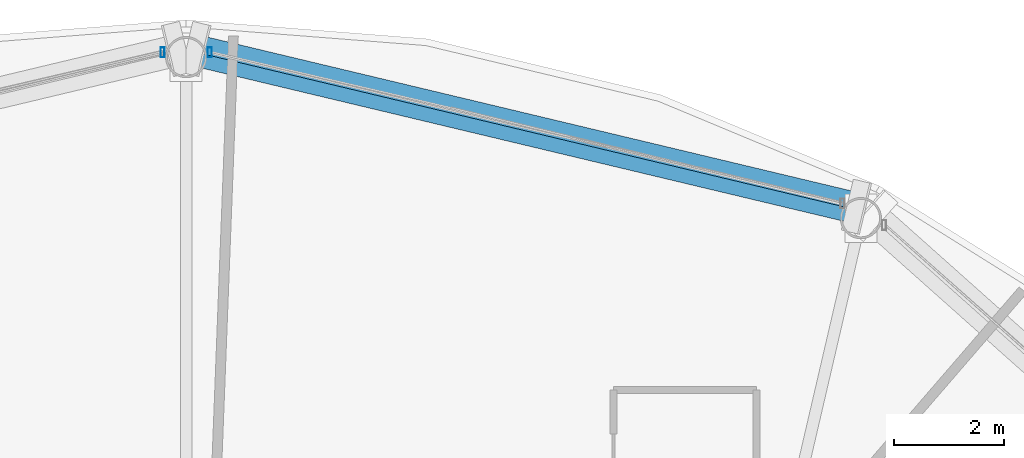
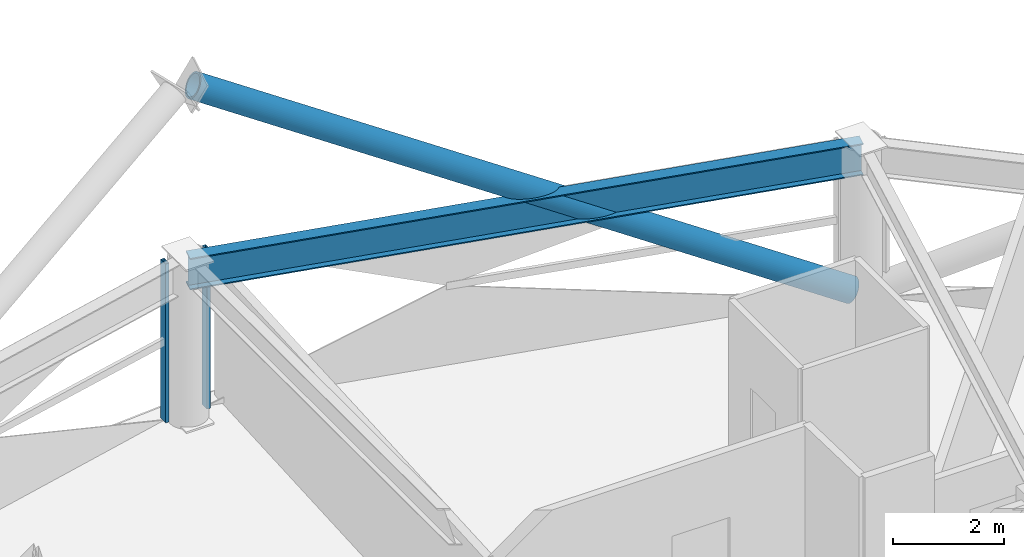
# One storey, part 16 of 29: 3 members, 1 beam, 2 elements without a shape of their own.
"""IFC4 building model written with IfcOpenShell, lengths in metres."""

from ifc_helpers import new_model, si_unit, direction, frame, origin, origin_2d, place, context, subcontext, project, spatial, hollow_rectangle, hollow_circle, i_section, extrude, material, layer, layer_set, material_profile, profile_set, type_object, element, aggregate, save


model = new_model("IFC4")

# Units and contexts
model_context = context("Model", 3, precision=1e-05, world=origin(), true_north=direction((0.0, 1.0)))
body_context = subcontext(model_context, "Body", "Model", "MODEL_VIEW")
ifc_project = project(units=[si_unit("LENGTHUNIT", "METRE"), si_unit("AREAUNIT", "SQUARE_METRE"), si_unit("VOLUMEUNIT", "CUBIC_METRE"), si_unit("PLANEANGLEUNIT", "RADIAN"), si_unit("MASSUNIT", "GRAM", prefix="KILO")], contexts=[model_context])

# Site, building, storey
site_placement = place(None, origin())
site = spatial("IfcSite", under=ifc_project, at=site_placement, CompositionType="ELEMENT")
building_placement = place(site_placement, origin())
building = spatial("IfcBuilding", under=site, at=building_placement, Name="Vantalir Tower", CompositionType="ELEMENT")
storey_placement = place(building_placement, frame((0.0, 0.0, 164.699951171875)))
storey = spatial("IfcBuildingStorey", under=building, at=storey_placement, Name="L41", CompositionType="ELEMENT", Elevation=164.699951171875)

# Beam
ifc_material_1 = material(Name="Steel S460", Category="steel")
ifc_material_profile_1 = material_profile(ifc_material_1, i_section(OverallWidth=0.256103515625, OverallDepth=0.693115234375, WebThickness=0.014404296875, FlangeThickness=0.023681640625, at=origin_2d()), Name="Steel S460")
ifc_profile_set_1 = profile_set([ifc_material_profile_1], Name="Steel S460")
beam_type = type_object("IfcBeamType", Name="BM-RG-686x254", PredefinedType="USERDEFINED", material=ifc_profile_set_1)
beam_placement = place(storey_placement, frame((43.76806640625, 43.9208984375, 3.22412109375), z_axis=(-0.972698315596, 0.232073235934, 0.0), x_axis=(-0.232073235934, -0.972698315596, 0.0)))
element("IfcBeam", 1, at=beam_placement, inside=storey, type_object=beam_type, Name="L41 Circumferential Ring Girder 03", ObjectType="GIRDER", PredefinedType="USERDEFINED", context=body_context, shape_type="SweptSolid", body=[
    extrude(i_section(OverallWidth=0.256103515625, OverallDepth=0.693115234375, WebThickness=0.014404296875, FlangeThickness=0.023681640625, at=origin_2d()), origin(), (0.0, 0.0, 1.0), 12.6123046875),
])

# Curtain wall, member
ifc_material_2 = material(Name="Champagne-silver PVDF aluminium and double-silver Low-E glass", Category="aluminium")
ifc_layer = layer(ifc_material_2, 0.199951171875)
ifc_layer_set = layer_set([ifc_layer], Name="Champagne-silver PVDF aluminium and double-silver Low-E glass")
curtain_wall_type = type_object("IfcCurtainWallType", Name="CW-DIAMOND-Z2", PredefinedType="USERDEFINED", material=ifc_layer_set)
curtain_wall_1_placement = place(storey_placement, origin())
curtain_wall_1 = element("IfcCurtainWall", 2, at=curtain_wall_1_placement, inside=storey, type_object=curtain_wall_type, Name="L41 Quilted Pyramid-Diamond Curtain Wall S03", ObjectType="UNITISED CURTAIN WALL", PredefinedType="USERDEFINED")
ifc_material_3 = material(Name="Champagne-silver PVDF aluminium 6063-T6", Category="aluminium")
ifc_material_profile_2 = material_profile(ifc_material_3, hollow_rectangle(XDim=0.074951171875, YDim=0.179931640625, WallThickness=0.00390625, at=origin_2d()), Name="Champagne-silver PVDF aluminium 6063-T6")
ifc_profile_set_2 = profile_set([ifc_material_profile_2], Name="Champagne-silver PVDF aluminium 6063-T6")
member_type_1 = type_object("IfcMemberType", Name="CWM-180x75", PredefinedType="MULLION", material=ifc_profile_set_2)
member_1_placement = place(storey_placement, frame((31.927978515625, 46.93603515625, 0.045166015625), z_axis=(0.0, 0.0, 1.0), x_axis=(1.0, 0.0, 0.0)))
member_1 = element("IfcMember", 3, at=member_1_placement, type_object=member_type_1, Name="CW-L41-S03 Mullion 2", PredefinedType="MULLION", context=body_context, shape_type="SweptSolid", body=[
    extrude(hollow_rectangle(XDim=0.074951171875, YDim=0.179931640625, WallThickness=0.00390625, at=origin_2d()), origin(), (0.0, 0.0, 1.0), 3.47998046875),
])
aggregate(curtain_wall_1, [member_1])

curtain_wall_2_placement = place(storey_placement, origin())
curtain_wall_2 = element("IfcCurtainWall", 4, at=curtain_wall_2_placement, inside=storey, type_object=curtain_wall_type, Name="L41 Quilted Pyramid-Diamond Curtain Wall S04", ObjectType="UNITISED CURTAIN WALL", PredefinedType="USERDEFINED")
member_2_placement = place(storey_placement, frame((31.072021484375, 46.93603515625, 0.045166015625), z_axis=(0.0, 0.0, 1.0), x_axis=(1.0, 0.0, 0.0)))
member_2 = element("IfcMember", 5, at=member_2_placement, type_object=member_type_1, Name="CW-L41-S04 Mullion 1", PredefinedType="MULLION", context=body_context, shape_type="SweptSolid", body=[
    extrude(hollow_rectangle(XDim=0.074951171875, YDim=0.179931640625, WallThickness=0.00390625, at=origin_2d()), origin(), (0.0, 0.0, 1.0), 3.47998046875),
])
aggregate(curtain_wall_2, [member_2])

# Member
ifc_material_profile_3 = material_profile(ifc_material_1, hollow_circle(Radius=0.260009765625, WallThickness=0.0380859375, at=origin_2d()), Name="Steel S460")
ifc_profile_set_3 = profile_set([ifc_material_profile_3], Name="Steel S460")
member_type_2 = type_object("IfcMemberType", Name="MEM-DB-520x38", PredefinedType="BRACE", material=ifc_profile_set_3)
member_3_placement = place(storey_placement, frame((43.677001953125, 44.1298828125, 0.18798828125), z_axis=(-0.847464333398, 0.202345805513, 0.49077528321), x_axis=(-0.232238050254, -0.972658978273, 0.0)))
element("IfcMember", 6, at=member_3_placement, inside=storey, type_object=member_type_2, Name="L41 Perimeter S460 Diagrid Brace R07L", PredefinedType="BRACE", context=body_context, shape_type="SweptSolid", body=[
    extrude(hollow_circle(Radius=0.260009765625, WallThickness=0.0380859375, at=origin_2d()), origin(), (0.0, 0.0, 1.0), 14.149169921875),
])

save(model, "model.ifc")
